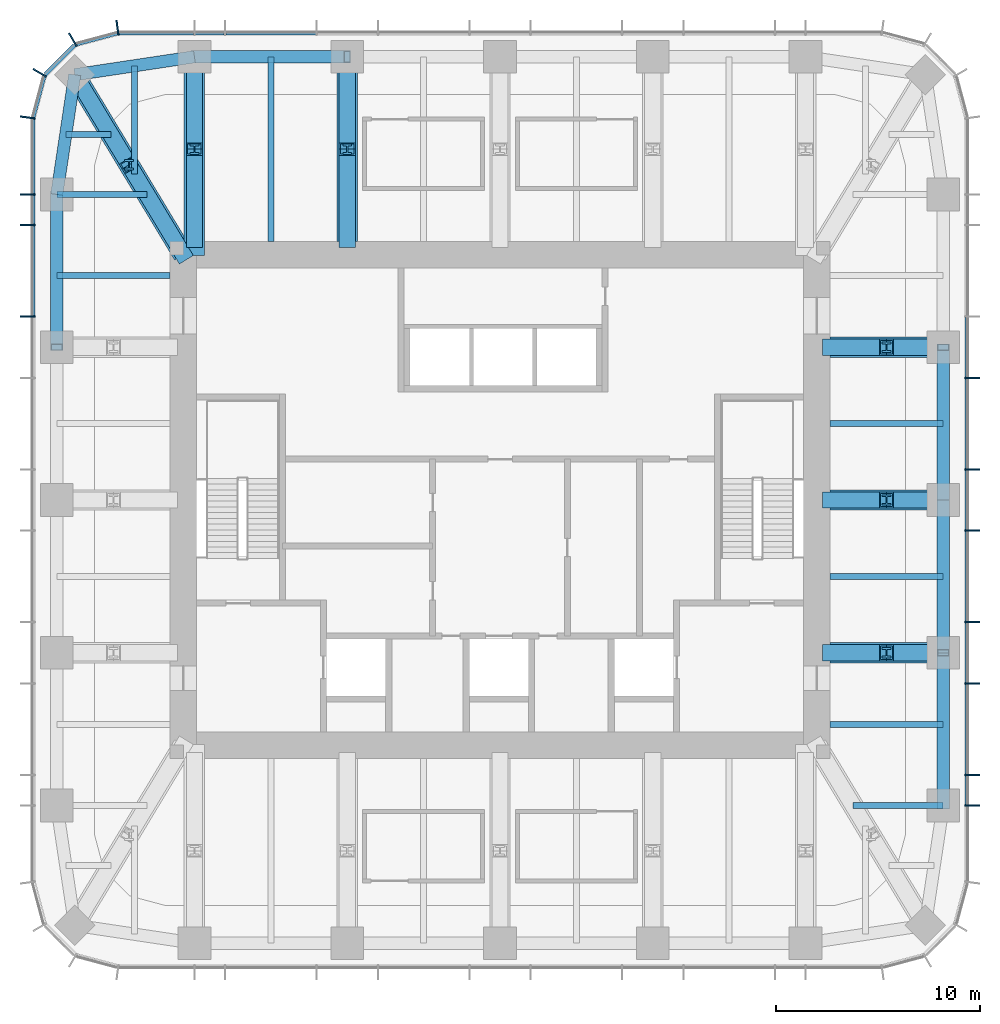
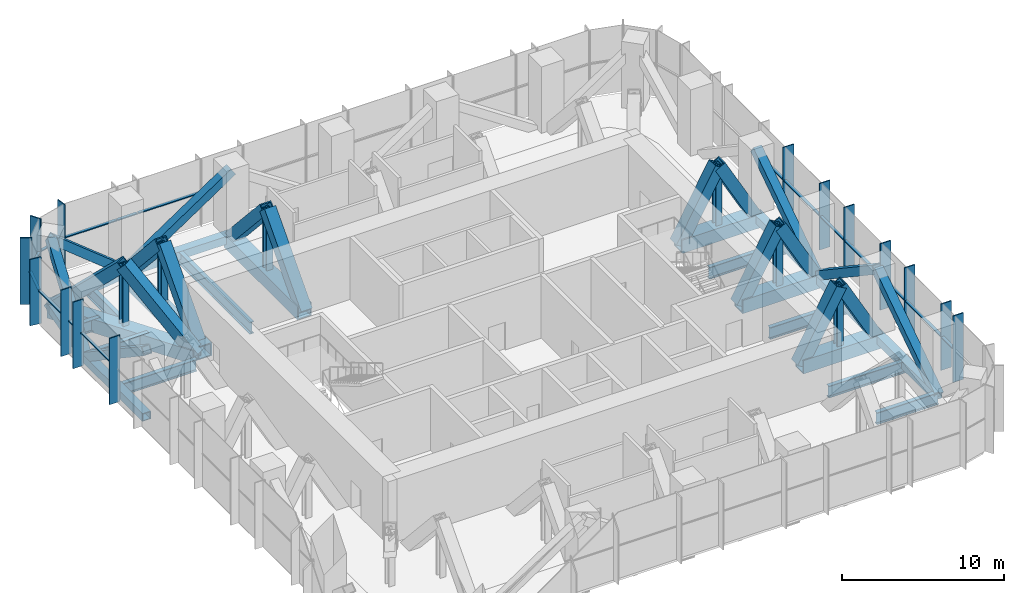
# One storey, part 3 of 9: 68 members, 9 beams, 4 elements without a shape of their own.
"""IFC4 building model written with IfcOpenShell, lengths in metres."""

from ifc_helpers import new_model, si_unit, direction, frame, origin, origin_2d, place, context, subcontext, project, spatial, rectangle, hollow_rectangle, i_section, extrude, material, material_profile, profile_set, type_object, element, aggregate, save


model = new_model("IFC4")

# Units and contexts
model_context = context("Model", 3, precision=1e-05, world=origin(), true_north=direction((0.0, 1.0)))
body_context = subcontext(model_context, "Body", "Model", "MODEL_VIEW")
ifc_project = project(units=[si_unit("LENGTHUNIT", "METRE"), si_unit("AREAUNIT", "SQUARE_METRE"), si_unit("VOLUMEUNIT", "CUBIC_METRE"), si_unit("PLANEANGLEUNIT", "RADIAN"), si_unit("MASSUNIT", "GRAM", prefix="KILO")], contexts=[model_context])

# Site, building, storey
site_placement = place(None, origin())
site = spatial("IfcSite", under=ifc_project, at=site_placement, CompositionType="ELEMENT")
building_placement = place(site_placement, origin())
building = spatial("IfcBuilding", under=site, at=building_placement, Name="Khuree Lantern Residences", CompositionType="ELEMENT")
storey_placement = place(building_placement, frame((0.0, 0.0, 353.25)))
storey = spatial("IfcBuildingStorey", under=building, at=storey_placement, Name="L89", CompositionType="ELEMENT", Elevation=353.25)

# Beams
ifc_material_1 = material(Name="Steel S355", Category="steel")
ifc_material_profile_1 = material_profile(ifc_material_1, i_section(OverallWidth=0.300048828125, OverallDepth=0.889892578125, WebThickness=0.01611328125, FlangeThickness=0.030029296875, FilletRadius=0.030029296875, at=origin_2d()), Name="HE 900 A")
ifc_profile_set_1 = profile_set([ifc_material_profile_1], Name="Steel S355")
beam_type_1 = type_object("IfcBeamType", Name="B-89 SECONDARY BEAM HE 900 A", PredefinedType="BEAM", material=ifc_profile_set_1)
beam_1_placement = place(storey_placement, frame((-11.219970703125, 21.699951171875, -0.7451171875), z_axis=(0.0, -1.0, 0.0), x_axis=(1.0, 0.0, 0.0)))
element("IfcBeam", 1, at=beam_1_placement, inside=storey, type_object=beam_type_1, Name="Secondary beam N1", PredefinedType="BEAM", context=body_context, shape_type="SweptSolid", body=[
    extrude(i_section(OverallWidth=0.300048828125, OverallDepth=0.889892578125, WebThickness=0.01611328125, FlangeThickness=0.030029296875, FilletRadius=0.030029296875, at=origin_2d()), origin(), (0.0, 0.0, 1.0), 9.050048828125),
])
for number, where, z_axis, x_axis, name in (
    (2, (21.699951171875, 3.739990234375, -0.7451171875), (-1.0, 0.0, 0.0), (0.0, -1.0, 0.0), "Secondary beam E3"),
    (3, (21.699951171875, -3.739990234375, -0.7451171875), (-1.0, 0.0, 0.0), (0.0, -1.0, 0.0), "Secondary beam E4"),
    (4, (21.699951171875, -11.0, -0.7451171875), (-1.0, 0.0, 0.0), (0.0, -1.0, 0.0), "Secondary beam E5"),
    (5, (-21.699951171875, 11.0, -0.7451171875), (1.0, 0.0, 0.0), (0.0, 1.0, 0.0), "Secondary beam W5"),
):
    element("IfcBeam", number, at=place(storey_placement, frame(where, z_axis=z_axis, x_axis=x_axis)), inside=storey, type_object=beam_type_1, Name=name, PredefinedType="BEAM", context=body_context, shape_type="SweptSolid", body=[
        extrude(i_section(OverallWidth=0.300048828125, OverallDepth=0.889892578125, WebThickness=0.01611328125, FlangeThickness=0.030029296875, FilletRadius=0.030029296875, at=origin_2d()), origin(), (0.0, 0.0, 1.0), 5.550048828125),
    ])
beam_2_placement = place(storey_placement, frame((-21.2607421875, 17.890625, -0.7451171875), z_axis=(1.0, 0.0, 0.0), x_axis=(0.0, 1.0, 0.0)))
element("IfcBeam", 6, at=beam_2_placement, inside=storey, type_object=beam_type_1, Name="Secondary beam W6", PredefinedType="BEAM", context=body_context, shape_type="SweptSolid", body=[
    extrude(i_section(OverallWidth=0.300048828125, OverallDepth=0.889892578125, WebThickness=0.01611328125, FlangeThickness=0.030029296875, FilletRadius=0.030029296875, at=origin_2d()), origin(), (0.0, 0.0, 1.0), 2.207275390625),
])
beam_3_placement = place(storey_placement, frame((-17.890625, 21.2607421875, -0.7451171875), z_axis=(0.0, -1.0, 0.0), x_axis=(1.0, 0.0, 0.0)))
element("IfcBeam", 7, at=beam_3_placement, inside=storey, type_object=beam_type_1, Name="Secondary beam N6", PredefinedType="BEAM", context=body_context, shape_type="SweptSolid", body=[
    extrude(i_section(OverallWidth=0.300048828125, OverallDepth=0.889892578125, WebThickness=0.01611328125, FlangeThickness=0.030029296875, FilletRadius=0.030029296875, at=origin_2d()), origin(), (0.0, 0.0, 1.0), 5.297607421875),
])

# Members
ifc_material_profile_2 = material_profile(ifc_material_1, hollow_rectangle(XDim=0.60009765625, YDim=0.60009765625, WallThickness=0.050048828125, at=origin_2d()), Name="WELDED BOX 600X600X50")
ifc_profile_set_2 = profile_set([ifc_material_profile_2], Name="Steel S355")
member_type_1 = type_object("IfcMemberType", Name="BD-89 BELT TRUSS DIAGONAL WELDED BOX 600X600X50", PredefinedType="BRACE", material=ifc_profile_set_2)
for number, where, z_axis, x_axis, name in (
    (8, (-14.9599609375, 21.699951171875, -0.60009765625), (0.831365021271, 0.0, 0.555726732673), (0.0, 1.0, 0.0), "Belt truss diagonal N1"),
    (9, (21.699951171875, 7.47998046875, 4.39990234375), (0.0, -0.831365021271, -0.555726732673), (1.0, 0.0, 0.0), "Belt truss diagonal E3"),
    (10, (21.699951171875, 0.0, -0.60009765625), (0.0, -0.831365021271, 0.555726732673), (1.0, 0.0, 0.0), "Belt truss diagonal E4"),
    (11, (21.699951171875, -7.47998046875, 4.39990234375), (0.0, -0.831365021271, -0.555726732673), (1.0, 0.0, 0.0), "Belt truss diagonal E5"),
    (12, (-21.699951171875, 7.47998046875, 4.39990234375), (0.0, 0.831365021271, -0.555726732673), (-1.0, 0.0, 0.0), "Belt truss diagonal W5"),
):
    element("IfcMember", number, at=place(storey_placement, frame(where, z_axis=z_axis, x_axis=x_axis)), inside=storey, type_object=member_type_1, Name=name, PredefinedType="BRACE", context=body_context, shape_type="SweptSolid", body=[
        extrude(hollow_rectangle(XDim=0.60009765625, YDim=0.60009765625, WallThickness=0.050048828125, at=origin_2d()), origin(), (0.0, 0.0, 1.0), 8.997314453125),
    ])
for number, where, z_axis, x_axis, name in (
    (13, (-21.699951171875, 14.9599609375, -0.60009765625), (0.113314726865, 0.755893293294, 0.644814005609), (-0.988949643299, 0.148251822985, 0.0), "Belt truss diagonal W6"),
    (14, (-20.8212890625, 20.8212890625, 4.39990234375), (0.755893293294, 0.113314726865, -0.644814005609), (-0.148251822985, 0.988949643299, 0.0), "Belt truss diagonal N6"),
):
    element("IfcMember", number, at=place(storey_placement, frame(where, z_axis=z_axis, x_axis=x_axis)), inside=storey, type_object=member_type_1, Name=name, PredefinedType="BRACE", context=body_context, shape_type="SweptSolid", body=[
        extrude(hollow_rectangle(XDim=0.60009765625, YDim=0.60009765625, WallThickness=0.050048828125, at=origin_2d()), origin(), (0.0, 0.0, 1.0), 7.754150390625),
    ])
ifc_material_profile_3 = material_profile(ifc_material_1, hollow_rectangle(XDim=0.60009765625, YDim=0.60009765625, WallThickness=0.050048828125, at=origin_2d()), Name="WELDED BOX 600X600X50")
ifc_profile_set_3 = profile_set([ifc_material_profile_3], Name="Steel S355")
member_type_2 = type_object("IfcMemberType", Name="BT-89 BELT TRUSS CHORD WELDED BOX 600X600X50", PredefinedType="CHORD", material=ifc_profile_set_3)
for number, where, z_axis, x_axis, name in (
    (15, (-14.9599609375, 21.699951171875, -0.60009765625), (1.0, 0.0, 0.0), (0.0, 1.0, 0.0), "Belt truss chord N1"),
    (16, (21.699951171875, 7.47998046875, -0.60009765625), (0.0, -1.0, 0.0), (1.0, 0.0, 0.0), "Belt truss chord E3"),
    (17, (21.699951171875, 0.0, -0.60009765625), (0.0, -1.0, 0.0), (1.0, 0.0, 0.0), "Belt truss chord E4"),
    (18, (21.699951171875, -7.47998046875, -0.60009765625), (0.0, -1.0, 0.0), (1.0, 0.0, 0.0), "Belt truss chord E5"),
    (19, (-21.699951171875, 7.47998046875, -0.60009765625), (0.0, 1.0, 0.0), (-1.0, 0.0, 0.0), "Belt truss chord W5"),
):
    element("IfcMember", number, at=place(storey_placement, frame(where, z_axis=z_axis, x_axis=x_axis)), inside=storey, type_object=member_type_2, Name=name, PredefinedType="CHORD", context=body_context, shape_type="SweptSolid", body=[
        extrude(hollow_rectangle(XDim=0.60009765625, YDim=0.60009765625, WallThickness=0.050048828125, at=origin_2d()), origin(), (0.0, 0.0, 1.0), 7.47998046875),
    ])
for number, where, z_axis, x_axis, name in (
    (20, (-21.699951171875, 14.9599609375, -0.60009765625), (0.148251822985, 0.988949643299, 0.0), (-0.988949643299, 0.148251822985, 0.0), "Belt truss chord W6"),
    (21, (-20.8212890625, 20.8212890625, -0.60009765625), (0.988949643299, 0.148251822985, 0.0), (-0.148251822985, 0.988949643299, 0.0), "Belt truss chord N6"),
):
    element("IfcMember", number, at=place(storey_placement, frame(where, z_axis=z_axis, x_axis=x_axis)), inside=storey, type_object=member_type_2, Name=name, PredefinedType="CHORD", context=body_context, shape_type="SweptSolid", body=[
        extrude(hollow_rectangle(XDim=0.60009765625, YDim=0.60009765625, WallThickness=0.050048828125, at=origin_2d()), origin(), (0.0, 0.0, 1.0), 5.9267578125),
    ])

# Curtain wall, members
ifc_material_2 = material(Name="Bronze anodised aluminium", Category="aluminium")
curtain_wall_type = type_object("IfcCurtainWallType", Name="CW-L LANTERN CROWN CURTAIN WALL", PredefinedType="USERDEFINED", material=ifc_material_2)
curtain_wall_1_placement = place(storey_placement, origin())
curtain_wall_1 = element("IfcCurtainWall", 22, at=curtain_wall_1_placement, inside=storey, type_object=curtain_wall_type, Name="L89 EAST FACE CURTAIN WALL", ObjectType="Lantern curtain wall", PredefinedType="USERDEFINED")
ifc_material_profile_4 = material_profile(ifc_material_2, rectangle(XDim=0.074951171875, YDim=0.75, at=origin_2d()), Name="F4 75X750")
ifc_profile_set_4 = profile_set([ifc_material_profile_4], Name="Bronze anodised aluminium")
member_type_3 = type_object("IfcMemberType", Name="F4 BRONZE FIN MULLION LANTERN 75X750", PredefinedType="MULLION", material=ifc_profile_set_4)
member_1_placement = place(storey_placement, frame((23.125, -14.9599609375, 0.0), z_axis=(0.0, 0.0, 1.0), x_axis=(0.0, 1.0, 0.0)))
member_1 = element("IfcMember", 23, at=member_1_placement, type_object=member_type_3, Name="L89 EAST FACE FIN MULLION 5", PredefinedType="MULLION", context=body_context, shape_type="SweptSolid", body=[
    extrude(rectangle(XDim=0.074951171875, YDim=0.75, at=origin_2d()), origin(), (0.0, 0.0, 1.0), 5.0),
])
member_2_placement = place(storey_placement, frame((23.125, -13.464111328125, 0.0), z_axis=(0.0, 0.0, 1.0), x_axis=(0.0, 1.0, 0.0)))
member_2 = element("IfcMember", 24, at=member_2_placement, type_object=member_type_3, Name="L89 EAST FACE FIN MULLION 6", PredefinedType="MULLION", context=body_context, shape_type="SweptSolid", body=[
    extrude(rectangle(XDim=0.074951171875, YDim=0.75, at=origin_2d()), origin(), (0.0, 0.0, 1.0), 5.0),
])
member_3_placement = place(storey_placement, frame((23.125, -8.97607421875, 0.0), z_axis=(0.0, 0.0, 1.0), x_axis=(0.0, 1.0, 0.0)))
member_3 = element("IfcMember", 25, at=member_3_placement, type_object=member_type_3, Name="L89 EAST FACE FIN MULLION 7", PredefinedType="MULLION", context=body_context, shape_type="SweptSolid", body=[
    extrude(rectangle(XDim=0.074951171875, YDim=0.75, at=origin_2d()), origin(), (0.0, 0.0, 1.0), 5.0),
])
member_4_placement = place(storey_placement, frame((23.125, -5.98388671875, 0.0), z_axis=(0.0, 0.0, 1.0), x_axis=(0.0, 1.0, 0.0)))
member_4 = element("IfcMember", 26, at=member_4_placement, type_object=member_type_3, Name="L89 EAST FACE FIN MULLION 8", PredefinedType="MULLION", context=body_context, shape_type="SweptSolid", body=[
    extrude(rectangle(XDim=0.074951171875, YDim=0.75, at=origin_2d()), origin(), (0.0, 0.0, 1.0), 5.0),
])
member_5_placement = place(storey_placement, frame((23.125, -1.49609375, 0.0), z_axis=(0.0, 0.0, 1.0), x_axis=(0.0, 1.0, 0.0)))
member_5 = element("IfcMember", 27, at=member_5_placement, type_object=member_type_3, Name="L89 EAST FACE FIN MULLION 9", PredefinedType="MULLION", context=body_context, shape_type="SweptSolid", body=[
    extrude(rectangle(XDim=0.074951171875, YDim=0.75, at=origin_2d()), origin(), (0.0, 0.0, 1.0), 5.0),
])
member_6_placement = place(storey_placement, frame((23.125, 1.49609375, 0.0), z_axis=(0.0, 0.0, 1.0), x_axis=(0.0, 1.0, 0.0)))
member_6 = element("IfcMember", 28, at=member_6_placement, type_object=member_type_3, Name="L89 EAST FACE FIN MULLION 10", PredefinedType="MULLION", context=body_context, shape_type="SweptSolid", body=[
    extrude(rectangle(XDim=0.074951171875, YDim=0.75, at=origin_2d()), origin(), (0.0, 0.0, 1.0), 5.0),
])
member_7_placement = place(storey_placement, frame((23.125, 5.98388671875, 0.0), z_axis=(0.0, 0.0, 1.0), x_axis=(0.0, 1.0, 0.0)))
member_7 = element("IfcMember", 29, at=member_7_placement, type_object=member_type_3, Name="L89 EAST FACE FIN MULLION 11", PredefinedType="MULLION", context=body_context, shape_type="SweptSolid", body=[
    extrude(rectangle(XDim=0.074951171875, YDim=0.75, at=origin_2d()), origin(), (0.0, 0.0, 1.0), 5.0),
])

curtain_wall_2_placement = place(storey_placement, origin())
curtain_wall_2 = element("IfcCurtainWall", 30, at=curtain_wall_2_placement, inside=storey, type_object=curtain_wall_type, Name="L89 NORTH-WEST CORNER CURTAIN WALL", ObjectType="Lantern curtain wall", PredefinedType="USERDEFINED")
member_8_placement = place(storey_placement, frame((-18.7294921875, 23.12451171875, 0.0), z_axis=(0.0, 0.0, 1.0), x_axis=(-0.991444870192, -0.130526125236, 0.0)))
member_8 = element("IfcMember", 31, at=member_8_placement, type_object=member_type_3, Name="L89 NORTH-WEST CORNER FIN MULLION 29", PredefinedType="MULLION", context=body_context, shape_type="SweptSolid", body=[
    extrude(rectangle(XDim=0.074951171875, YDim=0.75, at=origin_2d()), origin(), (0.0, 0.0, 1.0), 5.0),
])
member_9_placement = place(storey_placement, frame((-20.91259765625, 22.5322265625, 0.0), z_axis=(0.0, 0.0, 1.0), x_axis=(-0.866025437565, -0.49999994149, 0.0)))
member_9 = element("IfcMember", 32, at=member_9_placement, type_object=member_type_3, Name="L89 NORTH-WEST CORNER FIN MULLION 30", PredefinedType="MULLION", context=body_context, shape_type="SweptSolid", body=[
    extrude(rectangle(XDim=0.074951171875, YDim=0.75, at=origin_2d()), origin(), (0.0, 0.0, 1.0), 5.0),
])
member_10_placement = place(storey_placement, frame((-22.5322265625, 20.91259765625, 0.0), z_axis=(0.0, 0.0, 1.0), x_axis=(-0.49999994149, -0.866025437565, 0.0)))
member_10 = element("IfcMember", 33, at=member_10_placement, type_object=member_type_3, Name="L89 NORTH-WEST CORNER FIN MULLION 31", PredefinedType="MULLION", context=body_context, shape_type="SweptSolid", body=[
    extrude(rectangle(XDim=0.074951171875, YDim=0.75, at=origin_2d()), origin(), (0.0, 0.0, 1.0), 5.0),
])

curtain_wall_3_placement = place(storey_placement, origin())
curtain_wall_3 = element("IfcCurtainWall", 34, at=curtain_wall_3_placement, inside=storey, type_object=curtain_wall_type, Name="L89 WEST FACE CURTAIN WALL", ObjectType="Lantern curtain wall", PredefinedType="USERDEFINED")
member_11_placement = place(storey_placement, frame((-23.12451171875, 18.7294921875, 0.0), z_axis=(0.0, 0.0, 1.0), x_axis=(-0.130526125236, -0.991444870192, 0.0)))
member_11 = element("IfcMember", 35, at=member_11_placement, type_object=member_type_3, Name="L89 WEST FACE FIN MULLION 32", PredefinedType="MULLION", context=body_context, shape_type="SweptSolid", body=[
    extrude(rectangle(XDim=0.074951171875, YDim=0.75, at=origin_2d()), origin(), (0.0, 0.0, 1.0), 5.0),
])
member_12_placement = place(storey_placement, frame((-23.125, 14.9599609375, 0.0), z_axis=(0.0, 0.0, 1.0), x_axis=(0.0, -1.0, 0.0)))
member_12 = element("IfcMember", 36, at=member_12_placement, type_object=member_type_3, Name="L89 WEST FACE FIN MULLION 33", PredefinedType="MULLION", context=body_context, shape_type="SweptSolid", body=[
    extrude(rectangle(XDim=0.074951171875, YDim=0.75, at=origin_2d()), origin(), (0.0, 0.0, 1.0), 5.0),
])
member_13_placement = place(storey_placement, frame((-23.125, 13.464111328125, 0.0), z_axis=(0.0, 0.0, 1.0), x_axis=(0.0, -1.0, 0.0)))
member_13 = element("IfcMember", 37, at=member_13_placement, type_object=member_type_3, Name="L89 WEST FACE FIN MULLION 34", PredefinedType="MULLION", context=body_context, shape_type="SweptSolid", body=[
    extrude(rectangle(XDim=0.074951171875, YDim=0.75, at=origin_2d()), origin(), (0.0, 0.0, 1.0), 5.0),
])
member_14_placement = place(storey_placement, frame((-23.125, 8.97607421875, 0.0), z_axis=(0.0, 0.0, 1.0), x_axis=(0.0, -1.0, 0.0)))
member_14 = element("IfcMember", 38, at=member_14_placement, type_object=member_type_3, Name="L89 WEST FACE FIN MULLION 35", PredefinedType="MULLION", context=body_context, shape_type="SweptSolid", body=[
    extrude(rectangle(XDim=0.074951171875, YDim=0.75, at=origin_2d()), origin(), (0.0, 0.0, 1.0), 5.0),
])

# Beams
ifc_material_profile_5 = material_profile(ifc_material_1, i_section(OverallWidth=0.300048828125, OverallDepth=0.89990234375, WebThickness=0.0185546875, FlangeThickness=0.034912109375, FilletRadius=0.030029296875, at=origin_2d()), Name="HE 900 B")
ifc_profile_set_5 = profile_set([ifc_material_profile_5], Name="Steel S355")
beam_type_2 = type_object("IfcBeamType", Name="G-89 GIRDER HE 900 B", PredefinedType="BEAM", material=ifc_profile_set_5)
for number, where, z_axis, x_axis, name in (
    (39, (21.699951171875, -14.9599609375, -0.75), (-1.0, 0.0, 0.0), (0.0, -1.0, 0.0), "Girder E5"),
    (40, (-21.699951171875, 14.9599609375, -0.75), (1.0, 0.0, 0.0), (0.0, 1.0, 0.0), "Girder W5"),
):
    element("IfcBeam", number, at=place(storey_placement, frame(where, z_axis=z_axis, x_axis=x_axis)), inside=storey, type_object=beam_type_2, Name=name, PredefinedType="BEAM", context=body_context, shape_type="SweptSolid", body=[
        extrude(i_section(OverallWidth=0.300048828125, OverallDepth=0.89990234375, WebThickness=0.0185546875, FlangeThickness=0.034912109375, FilletRadius=0.030029296875, at=origin_2d()), origin(), (0.0, 0.0, 1.0), 4.414306640625),
    ])

# Members
ifc_material_profile_6 = material_profile(ifc_material_1, hollow_rectangle(XDim=0.800048828125, YDim=0.800048828125, WallThickness=0.070068359375, at=origin_2d()), Name="WELDED BOX 800X800X70")
ifc_profile_set_6 = profile_set([ifc_material_profile_6], Name="Steel S355")
member_type_4 = type_object("IfcMemberType", Name="OD-89 OUTRIGGER TRUSS DIAGONAL WELDED BOX 800X800X70", PredefinedType="BRACE", material=ifc_profile_set_6)
for number, where, z_axis, x_axis, name in (
    (41, (-15.5, 12.0, -0.800048828125), (-0.370633716413, 0.614412618894, 0.696511149948), (-0.856269347495, -0.516529577604, 0.0), "Outrigger diagonal NW core side"),
    (42, (-18.16064453125, 16.41064453125, 4.199951171875), (-0.370633716413, 0.614412618894, -0.696511149948), (-0.856269347495, -0.516529577604, 0.0), "Outrigger diagonal NW column side"),
):
    element("IfcMember", number, at=place(storey_placement, frame(where, z_axis=z_axis, x_axis=x_axis)), inside=storey, type_object=member_type_4, Name=name, PredefinedType="BRACE", context=body_context, shape_type="SweptSolid", body=[
        extrude(hollow_rectangle(XDim=0.800048828125, YDim=0.800048828125, WallThickness=0.070068359375, at=origin_2d()), origin(), (0.0, 0.0, 1.0), 7.1787109375),
    ])
member_15_placement = place(storey_placement, frame((-14.9599609375, 12.64990234375, -0.800048828125), z_axis=(0.0, 0.671022331943, 0.741437138289), x_axis=(-1.0, 0.0, 0.0)))
element("IfcMember", 43, at=member_15_placement, inside=storey, type_object=member_type_4, Name="Outrigger diagonal N1 core side", PredefinedType="BRACE", context=body_context, shape_type="SweptSolid", body=[
    extrude(hollow_rectangle(XDim=0.800048828125, YDim=0.800048828125, WallThickness=0.070068359375, at=origin_2d()), origin(), (0.0, 0.0, 1.0), 6.74365234375),
])
member_16_placement = place(storey_placement, frame((-14.9599609375, 17.175048828125, 4.199951171875), z_axis=(0.0, 0.671002429385, -0.7414551502), x_axis=(-1.0, 0.0, 0.0)))
element("IfcMember", 44, at=member_16_placement, inside=storey, type_object=member_type_4, Name="Outrigger diagonal N1 column side", PredefinedType="BRACE", context=body_context, shape_type="SweptSolid", body=[
    extrude(hollow_rectangle(XDim=0.800048828125, YDim=0.800048828125, WallThickness=0.070068359375, at=origin_2d()), origin(), (0.0, 0.0, 1.0), 6.743408203125),
])
member_17_placement = place(storey_placement, frame((-7.47998046875, 12.64990234375, -0.800048828125), z_axis=(0.0, 0.671022331943, 0.741437138289), x_axis=(-1.0, 0.0, 0.0)))
element("IfcMember", 45, at=member_17_placement, inside=storey, type_object=member_type_4, Name="Outrigger diagonal N2 core side", PredefinedType="BRACE", context=body_context, shape_type="SweptSolid", body=[
    extrude(hollow_rectangle(XDim=0.800048828125, YDim=0.800048828125, WallThickness=0.070068359375, at=origin_2d()), origin(), (0.0, 0.0, 1.0), 6.74365234375),
])
member_18_placement = place(storey_placement, frame((-7.47998046875, 17.175048828125, 4.199951171875), z_axis=(0.0, 0.671002429385, -0.7414551502), x_axis=(-1.0, 0.0, 0.0)))
element("IfcMember", 46, at=member_18_placement, inside=storey, type_object=member_type_4, Name="Outrigger diagonal N2 column side", PredefinedType="BRACE", context=body_context, shape_type="SweptSolid", body=[
    extrude(hollow_rectangle(XDim=0.800048828125, YDim=0.800048828125, WallThickness=0.070068359375, at=origin_2d()), origin(), (0.0, 0.0, 1.0), 6.743408203125),
])
for number, where, z_axis, x_axis, name in (
    (47, (16.14990234375, 7.47998046875, -0.800048828125), (0.485291278827, 0.0, 0.874352545999), (0.0, 1.0, 0.0), "Outrigger diagonal E2 core side"),
    (48, (18.925048828125, 7.47998046875, 4.199951171875), (0.485258639343, 0.0, -0.874370661072), (0.0, 1.0, 0.0), "Outrigger diagonal E2 column side"),
    (49, (16.14990234375, 0.0, -0.800048828125), (0.485291278827, 0.0, 0.874352545999), (0.0, 1.0, 0.0), "Outrigger diagonal E3 core side"),
    (50, (18.925048828125, 0.0, 4.199951171875), (0.485258639343, 0.0, -0.874370661072), (0.0, 1.0, 0.0), "Outrigger diagonal E3 column side"),
    (51, (16.14990234375, -7.47998046875, -0.800048828125), (0.485291278827, 0.0, 0.874352545999), (0.0, 1.0, 0.0), "Outrigger diagonal E4 core side"),
    (52, (18.925048828125, -7.47998046875, 4.199951171875), (0.485258639343, 0.0, -0.874370661072), (0.0, 1.0, 0.0), "Outrigger diagonal E4 column side"),
):
    element("IfcMember", number, at=place(storey_placement, frame(where, z_axis=z_axis, x_axis=x_axis)), inside=storey, type_object=member_type_4, Name=name, PredefinedType="BRACE", context=body_context, shape_type="SweptSolid", body=[
        extrude(hollow_rectangle(XDim=0.800048828125, YDim=0.800048828125, WallThickness=0.070068359375, at=origin_2d()), origin(), (0.0, 0.0, 1.0), 5.718505859375),
    ])
ifc_material_profile_7 = material_profile(ifc_material_1, i_section(OverallWidth=0.431884765625, OverallDepth=0.498046875, WebThickness=0.0556640625, FlangeThickness=0.0888671875, FilletRadius=0.014892578125, at=origin_2d()), Name="HD 400X744")
ifc_profile_set_7 = profile_set([ifc_material_profile_7], Name="Steel S355")
member_type_5 = type_object("IfcMemberType", Name="OP-89 OUTRIGGER TRUSS POST HD 400X744", PredefinedType="POST", material=ifc_profile_set_7)
for number, where, z_axis, x_axis, name in (
    (53, (-18.16064453125, 16.41064453125, -0.800048828125), (0.0, 0.0, 1.0), (1.0, 0.0, 0.0), "Outrigger post NW"),
    (54, (-14.9599609375, 17.175048828125, -0.800048828125), (0.0, 0.0, 1.0), (1.0, 0.0, 0.0), "Outrigger post N1"),
    (55, (-7.47998046875, 17.175048828125, -0.800048828125), (0.0, 0.0, 1.0), (1.0, 0.0, 0.0), "Outrigger post N2"),
    (56, (18.925048828125, 7.47998046875, -0.800048828125), (0.0, 0.0, 1.0), (1.0, 0.0, 0.0), "Outrigger post E2"),
    (57, (18.925048828125, 0.0, -0.800048828125), (0.0, 0.0, 1.0), (1.0, 0.0, 0.0), "Outrigger post E3"),
    (58, (18.925048828125, -7.47998046875, -0.800048828125), (0.0, 0.0, 1.0), (1.0, 0.0, 0.0), "Outrigger post E4"),
):
    element("IfcMember", number, at=place(storey_placement, frame(where, z_axis=z_axis, x_axis=x_axis)), inside=storey, type_object=member_type_5, Name=name, PredefinedType="POST", context=body_context, shape_type="SweptSolid", body=[
        extrude(i_section(OverallWidth=0.431884765625, OverallDepth=0.498046875, WebThickness=0.0556640625, FlangeThickness=0.0888671875, FilletRadius=0.014892578125, at=origin_2d()), origin(), (0.0, 0.0, 1.0), 5.0),
    ])
ifc_material_profile_8 = material_profile(ifc_material_1, hollow_rectangle(XDim=1.0, YDim=1.0, WallThickness=0.080078125, at=origin_2d()), Name="WELDED BOX 1000X1000X80")
ifc_profile_set_8 = profile_set([ifc_material_profile_8], Name="Steel S355")
member_type_6 = type_object("IfcMemberType", Name="OT-89 OUTRIGGER TRUSS CHORD WELDED BOX 1000X1000X80", PredefinedType="CHORD", material=ifc_profile_set_8)
member_19_placement = place(storey_placement, frame((-14.9599609375, 21.699951171875, -0.800048828125), z_axis=(0.0, -1.0, 0.0), x_axis=(1.0, 0.0, 0.0)))
element("IfcMember", 59, at=member_19_placement, inside=storey, type_object=member_type_6, Name="Outrigger chord N1", PredefinedType="CHORD", context=body_context, shape_type="SweptSolid", body=[
    extrude(hollow_rectangle(XDim=1.0, YDim=1.0, WallThickness=0.080078125, at=origin_2d()), origin(), (0.0, 0.0, 1.0), 9.723876953125),
])
member_20_placement = place(storey_placement, frame((-7.47998046875, 21.699951171875, -0.800048828125), z_axis=(0.0, -1.0, 0.0), x_axis=(1.0, 0.0, 0.0)))
element("IfcMember", 60, at=member_20_placement, inside=storey, type_object=member_type_6, Name="Outrigger chord N2", PredefinedType="CHORD", context=body_context, shape_type="SweptSolid", body=[
    extrude(hollow_rectangle(XDim=1.0, YDim=1.0, WallThickness=0.080078125, at=origin_2d()), origin(), (0.0, 0.0, 1.0), 9.050048828125),
])
for number, where, z_axis, x_axis, name in (
    (61, (21.699951171875, 7.47998046875, -0.800048828125), (-1.0, 0.0, 0.0), (0.0, -1.0, 0.0), "Outrigger chord E2"),
    (62, (21.699951171875, 0.0, -0.800048828125), (-1.0, 0.0, 0.0), (0.0, -1.0, 0.0), "Outrigger chord E3"),
    (63, (21.699951171875, -7.47998046875, -0.800048828125), (-1.0, 0.0, 0.0), (0.0, -1.0, 0.0), "Outrigger chord E4"),
):
    element("IfcMember", number, at=place(storey_placement, frame(where, z_axis=z_axis, x_axis=x_axis)), inside=storey, type_object=member_type_6, Name=name, PredefinedType="CHORD", context=body_context, shape_type="SweptSolid", body=[
        extrude(hollow_rectangle(XDim=1.0, YDim=1.0, WallThickness=0.080078125, at=origin_2d()), origin(), (0.0, 0.0, 1.0), 5.550048828125),
    ])
member_21_placement = place(storey_placement, frame((-20.8212890625, 20.8212890625, -0.800048828125), z_axis=(0.516529577604, -0.856269347495, 0.0), x_axis=(0.856269347495, 0.516529577604, 0.0)))
element("IfcMember", 64, at=member_21_placement, inside=storey, type_object=member_type_6, Name="Outrigger chord NW", PredefinedType="CHORD", context=body_context, shape_type="SweptSolid", body=[
    extrude(hollow_rectangle(XDim=1.0, YDim=1.0, WallThickness=0.080078125, at=origin_2d()), origin(), (0.0, 0.0, 1.0), 10.302001953125),
])

# Member
ifc_material_profile_9 = material_profile(ifc_material_2, rectangle(XDim=0.199951171875, YDim=0.074951171875, at=origin_2d()), Name="T4 200X75")
ifc_profile_set_9 = profile_set([ifc_material_profile_9], Name="Bronze anodised aluminium")
member_type_7 = type_object("IfcMemberType", Name="TRANSOM T4 LANTERN 200X75", PredefinedType="USERDEFINED", material=ifc_profile_set_9)
member_22_placement = place(storey_placement, frame((22.8701171875, -14.922607421875, 2.5), z_axis=(0.0, 1.0, 0.0), x_axis=(-1.0, 0.0, 0.0)))
member_22 = element("IfcMember", 65, at=member_22_placement, type_object=member_type_7, Name="L89 EAST FACE TRANSOM 5.1", ObjectType="Transom", PredefinedType="USERDEFINED", context=body_context, shape_type="SweptSolid", body=[
    extrude(rectangle(XDim=0.199951171875, YDim=0.074951171875, at=origin_2d()), origin(), (0.0, 0.0, 1.0), 1.421142578125),
])

member_23_placement = place(storey_placement, frame((22.8701171875, -13.426513671875, 2.5), z_axis=(0.0, 1.0, 0.0), x_axis=(-1.0, 0.0, 0.0)))
member_23 = element("IfcMember", 66, at=member_23_placement, type_object=member_type_7, Name="L89 EAST FACE TRANSOM 6.1", ObjectType="Transom", PredefinedType="USERDEFINED", context=body_context, shape_type="SweptSolid", body=[
    extrude(rectangle(XDim=0.199951171875, YDim=0.074951171875, at=origin_2d()), origin(), (0.0, 0.0, 1.0), 4.4130859375),
])

member_24_placement = place(storey_placement, frame((22.8701171875, -8.9384765625, 2.5), z_axis=(0.0, 1.0, 0.0), x_axis=(-1.0, 0.0, 0.0)))
member_24 = element("IfcMember", 67, at=member_24_placement, type_object=member_type_7, Name="L89 EAST FACE TRANSOM 7.1", ObjectType="Transom", PredefinedType="USERDEFINED", context=body_context, shape_type="SweptSolid", body=[
    extrude(rectangle(XDim=0.199951171875, YDim=0.074951171875, at=origin_2d()), origin(), (0.0, 0.0, 1.0), 2.9169921875),
])

member_25_placement = place(storey_placement, frame((22.8701171875, -5.946533203125, 2.5), z_axis=(0.0, 1.0, 0.0), x_axis=(-1.0, 0.0, 0.0)))
member_25 = element("IfcMember", 68, at=member_25_placement, type_object=member_type_7, Name="L89 EAST FACE TRANSOM 8.1", ObjectType="Transom", PredefinedType="USERDEFINED", context=body_context, shape_type="SweptSolid", body=[
    extrude(rectangle(XDim=0.199951171875, YDim=0.074951171875, at=origin_2d()), origin(), (0.0, 0.0, 1.0), 4.4130859375),
])

member_26_placement = place(storey_placement, frame((22.8701171875, -1.45849609375, 2.5), z_axis=(0.0, 1.0, 0.0), x_axis=(-1.0, 0.0, 0.0)))
member_26 = element("IfcMember", 69, at=member_26_placement, type_object=member_type_7, Name="L89 EAST FACE TRANSOM 9.1", ObjectType="Transom", PredefinedType="USERDEFINED", context=body_context, shape_type="SweptSolid", body=[
    extrude(rectangle(XDim=0.199951171875, YDim=0.074951171875, at=origin_2d()), origin(), (0.0, 0.0, 1.0), 2.9169921875),
])

member_27_placement = place(storey_placement, frame((22.8701171875, 1.533447265625, 2.5), z_axis=(0.0, 1.0, 0.0), x_axis=(-1.0, 0.0, 0.0)))
member_27 = element("IfcMember", 70, at=member_27_placement, type_object=member_type_7, Name="L89 EAST FACE TRANSOM 10.1", ObjectType="Transom", PredefinedType="USERDEFINED", context=body_context, shape_type="SweptSolid", body=[
    extrude(rectangle(XDim=0.199951171875, YDim=0.074951171875, at=origin_2d()), origin(), (0.0, 0.0, 1.0), 4.4130859375),
])

member_28_placement = place(storey_placement, frame((22.8701171875, 6.021484375, 2.5), z_axis=(0.0, 1.0, 0.0), x_axis=(-1.0, 0.0, 0.0)))
member_28 = element("IfcMember", 71, at=member_28_placement, type_object=member_type_7, Name="L89 EAST FACE TRANSOM 11.1", ObjectType="Transom", PredefinedType="USERDEFINED", context=body_context, shape_type="SweptSolid", body=[
    extrude(rectangle(XDim=0.199951171875, YDim=0.074951171875, at=origin_2d()), origin(), (0.0, 0.0, 1.0), 2.9169921875),
])

aggregate(curtain_wall_1, [member_1, member_2, member_3, member_4, member_5, member_6, member_7, member_22, member_23, member_24, member_25, member_26, member_27, member_28])

# Curtain wall, members
curtain_wall_4_placement = place(storey_placement, origin())
curtain_wall_4 = element("IfcCurtainWall", 72, at=curtain_wall_4_placement, inside=storey, type_object=curtain_wall_type, Name="L89 NORTH FACE CURTAIN WALL", ObjectType="Lantern curtain wall", PredefinedType="USERDEFINED")
member_29_placement = place(storey_placement, frame((-9.013427734375, 22.8701171875, 2.5), z_axis=(-1.0, 0.0, 0.0), x_axis=(0.0, -1.0, 0.0)))
member_29 = element("IfcMember", 73, at=member_29_placement, type_object=member_type_7, Name="L89 NORTH FACE TRANSOM 26.1", ObjectType="Transom", PredefinedType="USERDEFINED", context=body_context, shape_type="SweptSolid", body=[
    extrude(rectangle(XDim=0.199951171875, YDim=0.074951171875, at=origin_2d()), origin(), (0.0, 0.0, 1.0), 4.4130859375),
])
member_30_placement = place(storey_placement, frame((-13.50146484375, 22.8701171875, 2.5), z_axis=(-1.0, 0.0, 0.0), x_axis=(0.0, -1.0, 0.0)))
member_30 = element("IfcMember", 74, at=member_30_placement, type_object=member_type_7, Name="L89 NORTH FACE TRANSOM 27.1", ObjectType="Transom", PredefinedType="USERDEFINED", context=body_context, shape_type="SweptSolid", body=[
    extrude(rectangle(XDim=0.199951171875, YDim=0.074951171875, at=origin_2d()), origin(), (0.0, 0.0, 1.0), 1.421142578125),
])
member_31_placement = place(storey_placement, frame((-14.99755859375, 22.8701171875, 2.5), z_axis=(-1.0, 0.0, 0.0), x_axis=(0.0, -1.0, 0.0)))
member_31 = element("IfcMember", 75, at=member_31_placement, type_object=member_type_7, Name="L89 NORTH FACE TRANSOM 28.1", ObjectType="Transom", PredefinedType="USERDEFINED", context=body_context, shape_type="SweptSolid", body=[
    extrude(rectangle(XDim=0.199951171875, YDim=0.074951171875, at=origin_2d()), origin(), (0.0, 0.0, 1.0), 3.6474609375),
])
aggregate(curtain_wall_4, [member_29, member_30, member_31])

# Member
member_32_placement = place(storey_placement, frame((-18.745361328125, 22.856689453125, 2.5), z_axis=(-0.965941126358, -0.258761937717, 0.0), x_axis=(0.258761937717, -0.965941126358, 0.0)))
member_32 = element("IfcMember", 76, at=member_32_placement, type_object=member_type_7, Name="L89 NORTH-WEST CORNER TRANSOM 29.1", ObjectType="Transom", PredefinedType="USERDEFINED", context=body_context, shape_type="SweptSolid", body=[
    extrude(rectangle(XDim=0.199951171875, YDim=0.074951171875, at=origin_2d()), origin(), (0.0, 0.0, 1.0), 2.04541015625),
])

member_33_placement = place(storey_placement, frame((-20.830810546875, 22.263916015625, 2.5), z_axis=(-0.707106781187, -0.707106781187, 0.0), x_axis=(0.707106781187, -0.707106781187, 0.0)))
member_33 = element("IfcMember", 77, at=member_33_placement, type_object=member_type_7, Name="L89 NORTH-WEST CORNER TRANSOM 30.1", ObjectType="Transom", PredefinedType="USERDEFINED", context=body_context, shape_type="SweptSolid", body=[
    extrude(rectangle(XDim=0.199951171875, YDim=0.074951171875, at=origin_2d()), origin(), (0.0, 0.0, 1.0), 2.026611328125),
])

member_34_placement = place(storey_placement, frame((-22.327392578125, 20.72119140625, 2.5), z_axis=(-0.258761937717, -0.965941126358, 0.0), x_axis=(0.965941126358, -0.258761937717, 0.0)))
member_34 = element("IfcMember", 78, at=member_34_placement, type_object=member_type_7, Name="L89 NORTH-WEST CORNER TRANSOM 31.1", ObjectType="Transom", PredefinedType="USERDEFINED", context=body_context, shape_type="SweptSolid", body=[
    extrude(rectangle(XDim=0.199951171875, YDim=0.074951171875, at=origin_2d()), origin(), (0.0, 0.0, 1.0), 2.04541015625),
])

aggregate(curtain_wall_2, [member_8, member_9, member_10, member_32, member_33, member_34])

member_35_placement = place(storey_placement, frame((-22.8701171875, 18.64501953125, 2.5), z_axis=(0.0, -1.0, 0.0), x_axis=(1.0, 0.0, 0.0)))
member_35 = element("IfcMember", 79, at=member_35_placement, type_object=member_type_7, Name="L89 WEST FACE TRANSOM 32.1", ObjectType="Transom", PredefinedType="USERDEFINED", context=body_context, shape_type="SweptSolid", body=[
    extrude(rectangle(XDim=0.199951171875, YDim=0.074951171875, at=origin_2d()), origin(), (0.0, 0.0, 1.0), 3.6474609375),
])

member_36_placement = place(storey_placement, frame((-22.8701171875, 14.922607421875, 2.5), z_axis=(0.0, -1.0, 0.0), x_axis=(1.0, 0.0, 0.0)))
member_36 = element("IfcMember", 80, at=member_36_placement, type_object=member_type_7, Name="L89 WEST FACE TRANSOM 33.1", ObjectType="Transom", PredefinedType="USERDEFINED", context=body_context, shape_type="SweptSolid", body=[
    extrude(rectangle(XDim=0.199951171875, YDim=0.074951171875, at=origin_2d()), origin(), (0.0, 0.0, 1.0), 1.421142578125),
])

member_37_placement = place(storey_placement, frame((-22.8701171875, 13.426513671875, 2.5), z_axis=(0.0, -1.0, 0.0), x_axis=(1.0, 0.0, 0.0)))
member_37 = element("IfcMember", 81, at=member_37_placement, type_object=member_type_7, Name="L89 WEST FACE TRANSOM 34.1", ObjectType="Transom", PredefinedType="USERDEFINED", context=body_context, shape_type="SweptSolid", body=[
    extrude(rectangle(XDim=0.199951171875, YDim=0.074951171875, at=origin_2d()), origin(), (0.0, 0.0, 1.0), 4.4130859375),
])

aggregate(curtain_wall_3, [member_11, member_12, member_13, member_14, member_35, member_36, member_37])

save(model, "model.ifc")
